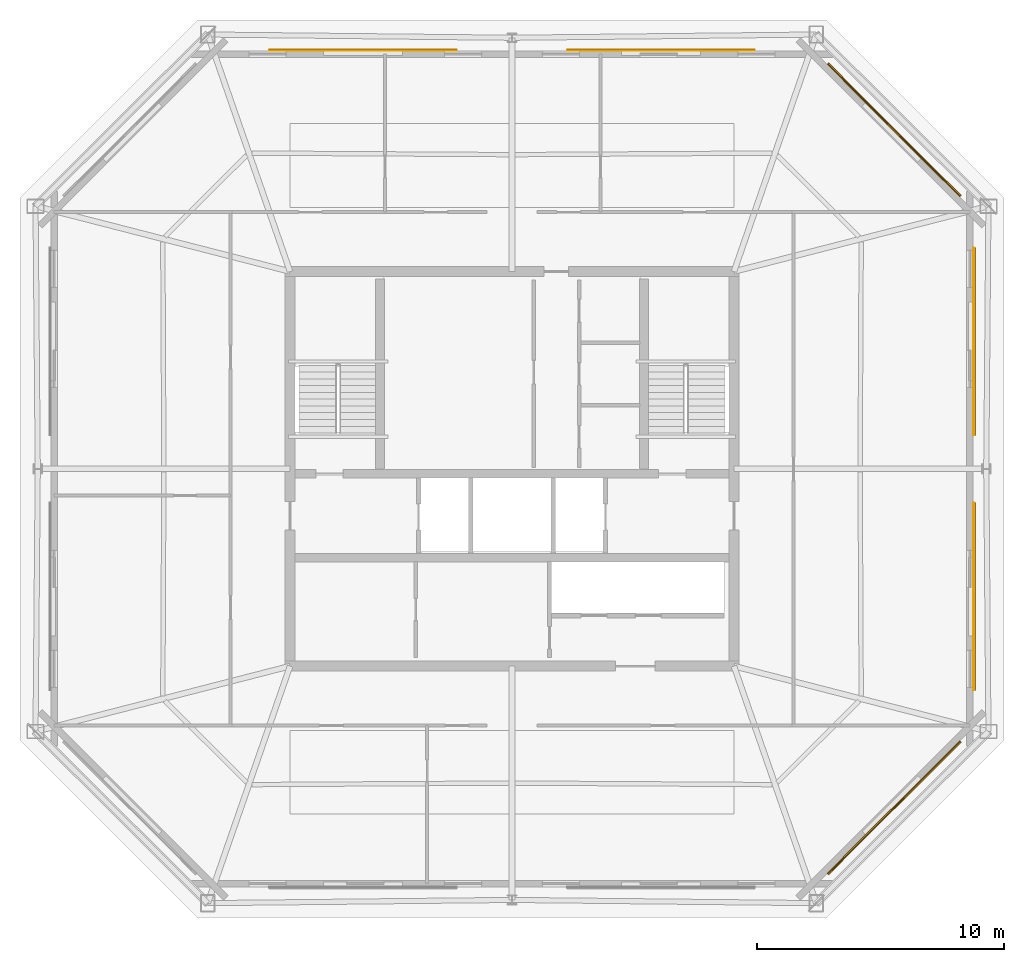
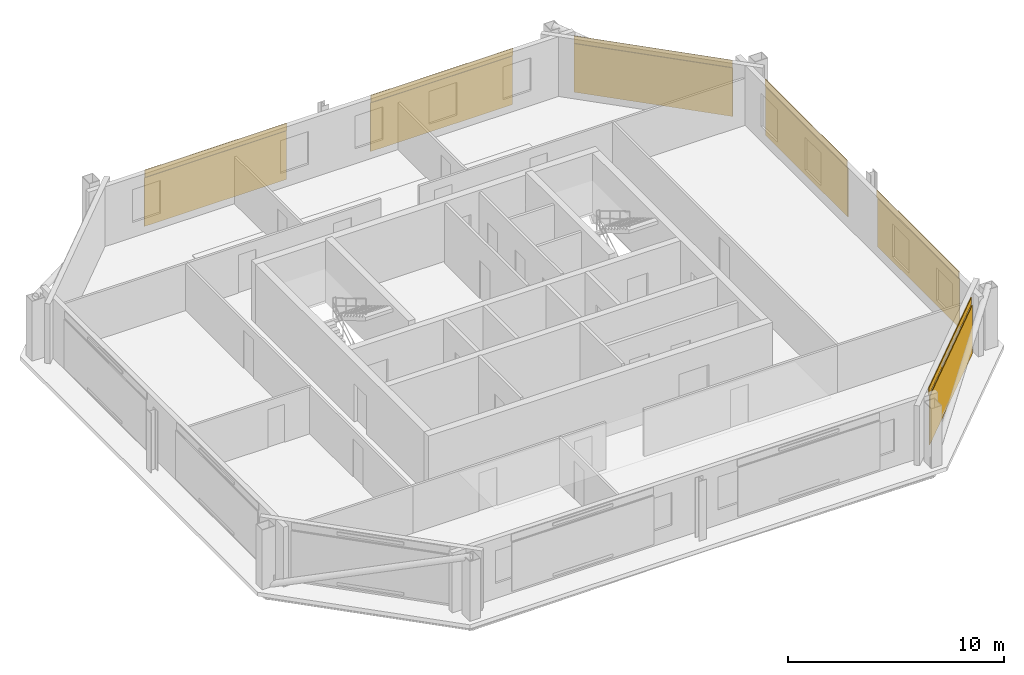
# One storey, part 6 of 6: 6 coverings, 6 shading devices.
"""IFC4 building model written with IfcOpenShell, lengths in metres."""

from ifc_helpers import new_model, si_unit, direction, frame, origin, origin_2d, place, context, subcontext, project, spatial, rectangle, extrude, material, layer, layer_set, type_object, element, save


model = new_model("IFC4")

# Units and contexts
model_context = context("Model", 3, precision=1e-05, world=origin(), true_north=direction((0.0, 1.0)))
body_context = subcontext(model_context, "Body", "Model", "MODEL_VIEW")
ifc_project = project(units=[si_unit("LENGTHUNIT", "METRE"), si_unit("AREAUNIT", "SQUARE_METRE"), si_unit("VOLUMEUNIT", "CUBIC_METRE"), si_unit("PLANEANGLEUNIT", "RADIAN"), si_unit("MASSUNIT", "GRAM", prefix="KILO")], contexts=[model_context])

# Site, building, storey
site_placement = place(None, origin())
site = spatial("IfcSite", under=ifc_project, at=site_placement, CompositionType="ELEMENT")
building_placement = place(site_placement, origin())
building = spatial("IfcBuilding", under=site, at=building_placement, Name="Caelvoria Tower", CompositionType="ELEMENT")
storey_placement = place(building_placement, frame((0.0, 0.0, 243.0)))
storey = spatial("IfcBuildingStorey", under=building, at=storey_placement, Name="L64", CompositionType="ELEMENT", Elevation=243.0)

# Coverings
ifc_material_1 = material(Name="Perforated Architectural Bronze Cladding Screen", Category="bronze")
ifc_layer_1 = layer(ifc_material_1, 0.0400390625, Name="Perforated Architectural Bronze Cladding Screen")
ifc_layer_set_1 = layer_set([ifc_layer_1], Name="Perforated Bronze Louvre Cladding Band 40 - Perforated Architectural Bronze Cladding Screen")
covering_type = type_object("IfcCoveringType", Name="Perforated Bronze Louvre Cladding Band 40", PredefinedType="CLADDING", material=ifc_layer_set_1)
for number, where, z_axis, x_axis, name in (
    (1, (61.476318359375, 18.273681640625, 2.955078125), (0.0, 0.0, 1.0), (0.707106781187, 0.707106781187, 0.0), "Perforated Bronze Screen Band L64-E1-00"),
    (2, (64.714599609375, 26.830078125, 2.955078125), (0.0, 0.0, 1.0), (0.0, 1.0, 0.0), "Perforated Bronze Screen Band L64-E2-00"),
    (3, (64.714599609375, 37.169921875, 2.955078125), (0.0, 0.0, 1.0), (0.0, 1.0, 0.0), "Perforated Bronze Screen Band L64-E2-01"),
    (4, (61.476318359375, 45.726318359375, 2.955078125), (0.0, 0.0, 1.0), (-0.707106781187, 0.707106781187, 0.0), "Perforated Bronze Screen Band L64-E3-00"),
    (5, (52.044921875, 48.964599609375, 2.955078125), (0.0, 0.0, 1.0), (-1.0, 0.0, 0.0), "Perforated Bronze Screen Band L64-E4-00"),
    (6, (39.955078125, 48.964599609375, 2.955078125), (0.0, 0.0, 1.0), (-1.0, 0.0, 0.0), "Perforated Bronze Screen Band L64-E4-01"),
):
    element("IfcCovering", number, at=place(storey_placement, frame(where, z_axis=z_axis, x_axis=x_axis)), inside=storey, type_object=covering_type, Name=name, PredefinedType="CLADDING", context=body_context, shape_type="SweptSolid", body=[
        extrude(rectangle(XDim=7.60009765625, YDim=0.0400390625, at=origin_2d()), origin(), (0.0, 0.0, 1.0), 0.39990234375),
    ])

# Shading devices
ifc_material_2 = material(Name="Perforated Architectural Bronze Alloy Panel", Category="bronze")
ifc_layer_2 = layer(ifc_material_2, 0.044921875, Name="Perforated Architectural Bronze Alloy Panel")
ifc_layer_set_2 = layer_set([ifc_layer_2], Name="Perforated Bronze Solar Screen Panel SCREEN - Perforated Architectural Bronze Alloy Panel")
shading_device_type = type_object("IfcShadingDeviceType", Name="Perforated Bronze Solar Screen Panel SCREEN", PredefinedType="USERDEFINED", material=ifc_layer_set_2)
for number, where, z_axis, x_axis, name in (
    (7, (61.5068359375, 18.2431640625, 0.159912109375), (0.0, 0.0, 1.0), (0.707106781187, 0.707106781187, 0.0), "Perforated Bronze Solar Screen L64-E1-00"),
    (8, (64.757568359375, 26.830078125, 0.159912109375), (0.0, 0.0, 1.0), (0.0, 1.0, 0.0), "Perforated Bronze Solar Screen L64-E2-00"),
    (9, (64.757568359375, 37.169921875, 0.159912109375), (0.0, 0.0, 1.0), (0.0, 1.0, 0.0), "Perforated Bronze Solar Screen L64-E2-01"),
    (10, (61.5068359375, 45.7568359375, 0.159912109375), (0.0, 0.0, 1.0), (-0.707106781187, 0.707106781187, 0.0), "Perforated Bronze Solar Screen L64-E3-00"),
    (11, (52.044921875, 49.007568359375, 0.159912109375), (0.0, 0.0, 1.0), (-1.0, 0.0, 0.0), "Perforated Bronze Solar Screen L64-E4-00"),
    (12, (39.955078125, 49.007568359375, 0.159912109375), (0.0, 0.0, 1.0), (-1.0, 0.0, 0.0), "Perforated Bronze Solar Screen L64-E4-01"),
):
    element("IfcShadingDevice", number, at=place(storey_placement, frame(where, z_axis=z_axis, x_axis=x_axis)), inside=storey, type_object=shading_device_type, Name=name, ObjectType="SCREEN", PredefinedType="USERDEFINED", context=body_context, shape_type="SweptSolid", body=[
        extrude(rectangle(XDim=7.60009765625, YDim=0.044921875, at=origin_2d()), origin(), (0.0, 0.0, 1.0), 2.75),
    ])

save(model, "model.ifc")
